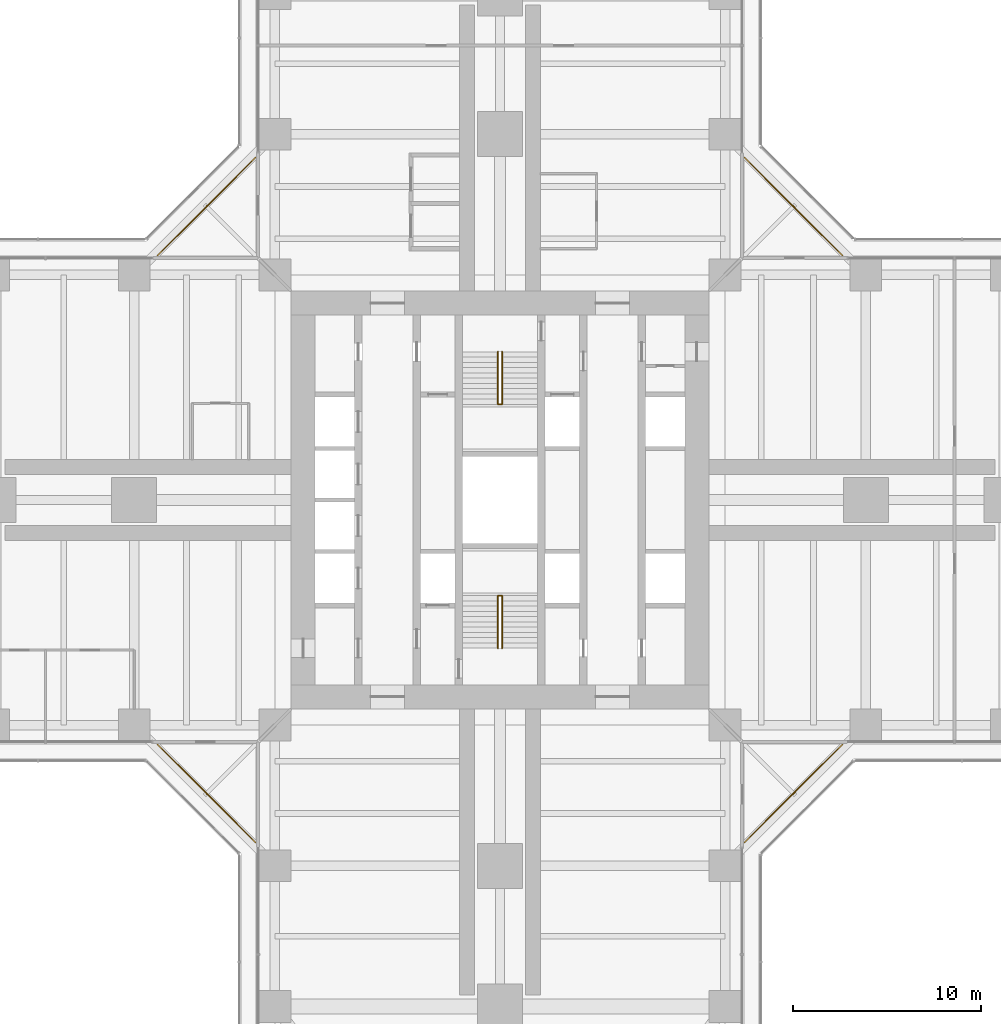
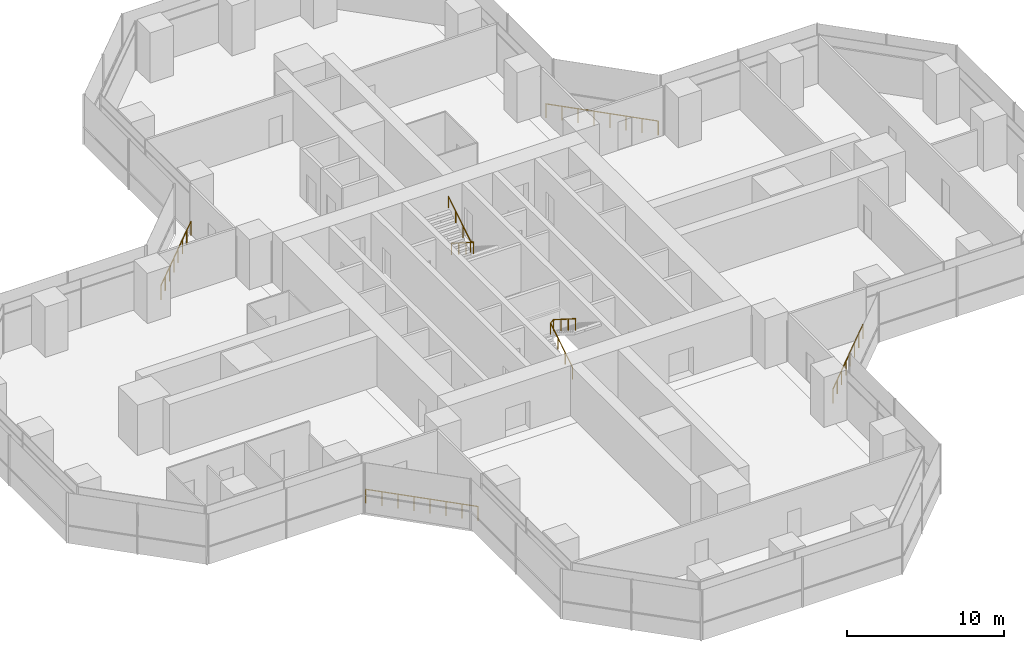
# One storey, part 22 of 22: 6 railings.
"""IFC4 building model written with IfcOpenShell, lengths in metres."""

from ifc_helpers import new_model, si_unit, direction, frame, origin, origin_2d, place, context, subcontext, project, spatial, circle, extrude, material, type_object, element, save


model = new_model("IFC4")

# Units and contexts
model_context = context("Model", 3, precision=1e-05, world=origin(), true_north=direction((0.0, 1.0)))
body_context = subcontext(model_context, "Body", "Model", "MODEL_VIEW")
ifc_project = project(units=[si_unit("LENGTHUNIT", "METRE"), si_unit("AREAUNIT", "SQUARE_METRE"), si_unit("VOLUMEUNIT", "CUBIC_METRE"), si_unit("PLANEANGLEUNIT", "RADIAN"), si_unit("MASSUNIT", "GRAM", prefix="KILO")], contexts=[model_context])

# Site, building, storey
site_placement = place(None, origin())
site = spatial("IfcSite", under=ifc_project, at=site_placement, CompositionType="ELEMENT")
building_placement = place(site_placement, origin())
building = spatial("IfcBuilding", under=site, at=building_placement, Name="Mizan Broadcast Tower", CompositionType="ELEMENT")
storey_placement = place(building_placement, frame((0.0, 0.0, 70.800048828125)))
storey = spatial("IfcBuildingStorey", under=building, at=storey_placement, Name="L14", CompositionType="ELEMENT", Elevation=70.800048828125)

# Railings
ifc_material_1 = material(Name="Stainless steel and glass guard", Category="steel")
railing_type_1 = type_object("IfcRailingType", Name="GUARD 1100", PredefinedType="GUARDRAIL", material=ifc_material_1)
railing_1_placement = place(storey_placement, frame((18.2578125, 13.030029296875, 0.0)))
element("IfcRailing", 1, at=railing_1_placement, inside=storey, type_object=railing_type_1, Name="Winter garden guard L14 E", PredefinedType="GUARDRAIL", context=body_context, shape_type="SweptSolid", body=[
    extrude(circle(Radius=0.02392578125, at=origin_2d()), frame((0.0, 0.0, 1.076171875), z_axis=(-0.707106781187, 0.707106781187, 0.0), x_axis=(-0.707106781187, -0.707106781187, 0.0)), (0.0, 0.0, 1.0), 7.393310546875),
    extrude(circle(Radius=0.02099609375, at=origin_2d()), origin(), (0.0, 0.0, 1.0), 1.052001953125),
    extrude(circle(Radius=0.02099609375, at=origin_2d()), frame((-0.746826171875, 0.746826171875, 0.0)), (0.0, 0.0, 1.0), 1.052001953125),
    extrude(circle(Radius=0.02099609375, at=origin_2d()), frame((-1.49365234375, 1.49365234375, 0.0)), (0.0, 0.0, 1.0), 1.052001953125),
    extrude(circle(Radius=0.02099609375, at=origin_2d()), frame((-2.240478515625, 2.240478515625, 0.0)), (0.0, 0.0, 1.0), 1.052001953125),
    extrude(circle(Radius=0.02099609375, at=origin_2d()), frame((-2.9873046875, 2.9873046875, 0.0)), (0.0, 0.0, 1.0), 1.052001953125),
    extrude(circle(Radius=0.02099609375, at=origin_2d()), frame((-3.734130859375, 3.734130859375, 0.0)), (0.0, 0.0, 1.0), 1.052001953125),
    extrude(circle(Radius=0.02099609375, at=origin_2d()), frame((-4.48095703125, 4.48095703125, 0.0)), (0.0, 0.0, 1.0), 1.052001953125),
    extrude(circle(Radius=0.02099609375, at=origin_2d()), frame((-5.227783203125, 5.227783203125, 0.0)), (0.0, 0.0, 1.0), 1.052001953125),
])
railing_2_placement = place(storey_placement, frame((-13.030029296875, 18.2578125, 0.0)))
element("IfcRailing", 2, at=railing_2_placement, inside=storey, type_object=railing_type_1, Name="Winter garden guard L14 N", PredefinedType="GUARDRAIL", context=body_context, shape_type="SweptSolid", body=[
    extrude(circle(Radius=0.02392578125, at=origin_2d()), frame((0.0, 0.0, 1.076171875), z_axis=(-0.707106781187, -0.707106781187, 0.0), x_axis=(0.707106781187, -0.707106781187, 0.0)), (0.0, 0.0, 1.0), 7.393310546875),
    extrude(circle(Radius=0.02099609375, at=origin_2d()), origin(), (0.0, 0.0, 1.0), 1.052001953125),
    extrude(circle(Radius=0.02099609375, at=origin_2d()), frame((-0.746826171875, -0.746826171875, 0.0)), (0.0, 0.0, 1.0), 1.052001953125),
    extrude(circle(Radius=0.02099609375, at=origin_2d()), frame((-1.49365234375, -1.49365234375, 0.0)), (0.0, 0.0, 1.0), 1.052001953125),
    extrude(circle(Radius=0.02099609375, at=origin_2d()), frame((-2.240478515625, -2.240478515625, 0.0)), (0.0, 0.0, 1.0), 1.052001953125),
    extrude(circle(Radius=0.02099609375, at=origin_2d()), frame((-2.9873046875, -2.9873046875, 0.0)), (0.0, 0.0, 1.0), 1.052001953125),
    extrude(circle(Radius=0.02099609375, at=origin_2d()), frame((-3.734130859375, -3.734130859375, 0.0)), (0.0, 0.0, 1.0), 1.052001953125),
    extrude(circle(Radius=0.02099609375, at=origin_2d()), frame((-4.48095703125, -4.48095703125, 0.0)), (0.0, 0.0, 1.0), 1.052001953125),
    extrude(circle(Radius=0.02099609375, at=origin_2d()), frame((-5.227783203125, -5.227783203125, 0.0)), (0.0, 0.0, 1.0), 1.052001953125),
])
railing_3_placement = place(storey_placement, frame((-18.2578125, -13.030029296875, 0.0)))
element("IfcRailing", 3, at=railing_3_placement, inside=storey, type_object=railing_type_1, Name="Winter garden guard L14 W", PredefinedType="GUARDRAIL", context=body_context, shape_type="SweptSolid", body=[
    extrude(circle(Radius=0.02392578125, at=origin_2d()), frame((0.0, 0.0, 1.076171875), z_axis=(0.707106781187, -0.707106781187, 0.0), x_axis=(0.707106781187, 0.707106781187, 0.0)), (0.0, 0.0, 1.0), 7.393310546875),
    extrude(circle(Radius=0.02099609375, at=origin_2d()), origin(), (0.0, 0.0, 1.0), 1.052001953125),
    extrude(circle(Radius=0.02099609375, at=origin_2d()), frame((0.746826171875, -0.746826171875, 0.0)), (0.0, 0.0, 1.0), 1.052001953125),
    extrude(circle(Radius=0.02099609375, at=origin_2d()), frame((1.49365234375, -1.49365234375, 0.0)), (0.0, 0.0, 1.0), 1.052001953125),
    extrude(circle(Radius=0.02099609375, at=origin_2d()), frame((2.240478515625, -2.240478515625, 0.0)), (0.0, 0.0, 1.0), 1.052001953125),
    extrude(circle(Radius=0.02099609375, at=origin_2d()), frame((2.9873046875, -2.9873046875, 0.0)), (0.0, 0.0, 1.0), 1.052001953125),
    extrude(circle(Radius=0.02099609375, at=origin_2d()), frame((3.734130859375, -3.734130859375, 0.0)), (0.0, 0.0, 1.0), 1.052001953125),
    extrude(circle(Radius=0.02099609375, at=origin_2d()), frame((4.48095703125, -4.48095703125, 0.0)), (0.0, 0.0, 1.0), 1.052001953125),
    extrude(circle(Radius=0.02099609375, at=origin_2d()), frame((5.227783203125, -5.227783203125, 0.0)), (0.0, 0.0, 1.0), 1.052001953125),
])
railing_4_placement = place(storey_placement, frame((13.030029296875, -18.2578125, 0.0)))
element("IfcRailing", 4, at=railing_4_placement, inside=storey, type_object=railing_type_1, Name="Winter garden guard L14 S", PredefinedType="GUARDRAIL", context=body_context, shape_type="SweptSolid", body=[
    extrude(circle(Radius=0.02392578125, at=origin_2d()), frame((0.0, 0.0, 1.076171875), z_axis=(0.707106781187, 0.707106781187, 0.0), x_axis=(-0.707106781187, 0.707106781187, 0.0)), (0.0, 0.0, 1.0), 7.393310546875),
    extrude(circle(Radius=0.02099609375, at=origin_2d()), origin(), (0.0, 0.0, 1.0), 1.052001953125),
    extrude(circle(Radius=0.02099609375, at=origin_2d()), frame((0.746826171875, 0.746826171875, 0.0)), (0.0, 0.0, 1.0), 1.052001953125),
    extrude(circle(Radius=0.02099609375, at=origin_2d()), frame((1.49365234375, 1.49365234375, 0.0)), (0.0, 0.0, 1.0), 1.052001953125),
    extrude(circle(Radius=0.02099609375, at=origin_2d()), frame((2.240478515625, 2.240478515625, 0.0)), (0.0, 0.0, 1.0), 1.052001953125),
    extrude(circle(Radius=0.02099609375, at=origin_2d()), frame((2.9873046875, 2.9873046875, 0.0)), (0.0, 0.0, 1.0), 1.052001953125),
    extrude(circle(Radius=0.02099609375, at=origin_2d()), frame((3.734130859375, 3.734130859375, 0.0)), (0.0, 0.0, 1.0), 1.052001953125),
    extrude(circle(Radius=0.02099609375, at=origin_2d()), frame((4.48095703125, 4.48095703125, 0.0)), (0.0, 0.0, 1.0), 1.052001953125),
    extrude(circle(Radius=0.02099609375, at=origin_2d()), frame((5.227783203125, 5.227783203125, 0.0)), (0.0, 0.0, 1.0), 1.052001953125),
])
ifc_material_2 = material(Name="Stainless steel", Category="steel")
railing_type_2 = type_object("IfcRailingType", Name="HANDRAIL 50", PredefinedType="HANDRAIL", material=ifc_material_2)
railing_5_placement = place(storey_placement, frame((-0.110107421875, -7.89990234375, 0.17724609375)))
element("IfcRailing", 5, at=railing_5_placement, inside=storey, type_object=railing_type_2, Name="Stair A handrail", PredefinedType="HANDRAIL", context=body_context, shape_type="SweptSolid", body=[
    extrude(circle(Radius=0.02392578125, at=origin_2d()), frame((0.0, 0.0, 0.8759765625), z_axis=(0.0, 0.844887892834, 0.53494340686), x_axis=(-1.0, 0.0, 0.0)), (0.0, 0.0, 1.0), 3.313720703125),
    extrude(circle(Radius=0.02392578125, at=origin_2d()), frame((0.0, 2.7998046875, 2.6484375), z_axis=(0.779011685263, 0.0, 0.627009405212), x_axis=(0.0, 1.0, 0.0)), (0.0, 0.0, 1.0), 0.28271484375),
    extrude(circle(Radius=0.02392578125, at=origin_2d()), frame((0.22021484375, 2.7998046875, 2.82568359375), z_axis=(0.0, -0.844887892834, 0.53494340686), x_axis=(1.0, 0.0, 0.0)), (0.0, 0.0, 1.0), 3.313720703125),
    extrude(circle(Radius=0.02099609375, at=origin_2d()), origin(), (0.0, 0.0, 1.0), 0.851806640625),
    extrude(circle(Radius=0.02099609375, at=origin_2d()), frame((0.0, 0.933349609375, 0.5908203125)), (0.0, 0.0, 1.0), 0.851806640625),
    extrude(circle(Radius=0.02099609375, at=origin_2d()), frame((0.0, 1.866455078125, 1.181884765625)), (0.0, 0.0, 1.0), 0.851806640625),
    extrude(circle(Radius=0.02099609375, at=origin_2d()), frame((0.0, 2.7998046875, 1.772705078125)), (0.0, 0.0, 1.0), 0.851806640625),
    extrude(circle(Radius=0.02099609375, at=origin_2d()), frame((0.22021484375, 2.7998046875, 1.949951171875)), (0.0, 0.0, 1.0), 0.851806640625),
    extrude(circle(Radius=0.02099609375, at=origin_2d()), frame((0.22021484375, 1.866455078125, 2.540771484375)), (0.0, 0.0, 1.0), 0.851806640625),
    extrude(circle(Radius=0.02099609375, at=origin_2d()), frame((0.22021484375, 0.933349609375, 3.1318359375)), (0.0, 0.0, 1.0), 0.851806640625),
    extrude(circle(Radius=0.02099609375, at=origin_2d()), frame((0.22021484375, 0.0, 3.72265625)), (0.0, 0.0, 1.0), 0.851806640625),
])
railing_6_placement = place(storey_placement, frame((0.110107421875, 7.89990234375, 0.17724609375)))
element("IfcRailing", 6, at=railing_6_placement, inside=storey, type_object=railing_type_2, Name="Stair B handrail", PredefinedType="HANDRAIL", context=body_context, shape_type="SweptSolid", body=[
    extrude(circle(Radius=0.02392578125, at=origin_2d()), frame((0.0, 0.0, 0.8759765625), z_axis=(0.0, -0.844887892834, 0.53494340686), x_axis=(1.0, 0.0, 0.0)), (0.0, 0.0, 1.0), 3.313720703125),
    extrude(circle(Radius=0.02392578125, at=origin_2d()), frame((0.0, -2.7998046875, 2.6484375), z_axis=(-0.779011685263, 0.0, 0.627009405212), x_axis=(0.0, -1.0, 0.0)), (0.0, 0.0, 1.0), 0.28271484375),
    extrude(circle(Radius=0.02392578125, at=origin_2d()), frame((-0.22021484375, -2.7998046875, 2.82568359375), z_axis=(0.0, 0.844887892834, 0.53494340686), x_axis=(-1.0, 0.0, 0.0)), (0.0, 0.0, 1.0), 3.313720703125),
    extrude(circle(Radius=0.02099609375, at=origin_2d()), origin(), (0.0, 0.0, 1.0), 0.851806640625),
    extrude(circle(Radius=0.02099609375, at=origin_2d()), frame((0.0, -0.933349609375, 0.5908203125)), (0.0, 0.0, 1.0), 0.851806640625),
    extrude(circle(Radius=0.02099609375, at=origin_2d()), frame((0.0, -1.866455078125, 1.181884765625)), (0.0, 0.0, 1.0), 0.851806640625),
    extrude(circle(Radius=0.02099609375, at=origin_2d()), frame((0.0, -2.7998046875, 1.772705078125)), (0.0, 0.0, 1.0), 0.851806640625),
    extrude(circle(Radius=0.02099609375, at=origin_2d()), frame((-0.22021484375, -2.7998046875, 1.949951171875)), (0.0, 0.0, 1.0), 0.851806640625),
    extrude(circle(Radius=0.02099609375, at=origin_2d()), frame((-0.22021484375, -1.866455078125, 2.540771484375)), (0.0, 0.0, 1.0), 0.851806640625),
    extrude(circle(Radius=0.02099609375, at=origin_2d()), frame((-0.22021484375, -0.933349609375, 3.1318359375)), (0.0, 0.0, 1.0), 0.851806640625),
    extrude(circle(Radius=0.02099609375, at=origin_2d()), frame((-0.22021484375, 0.0, 3.72265625)), (0.0, 0.0, 1.0), 0.851806640625),
])

save(model, "model.ifc")
